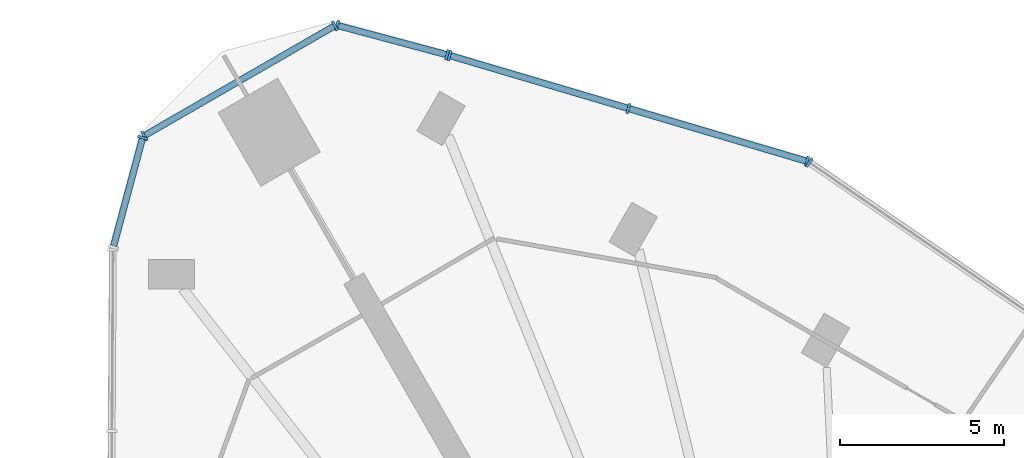
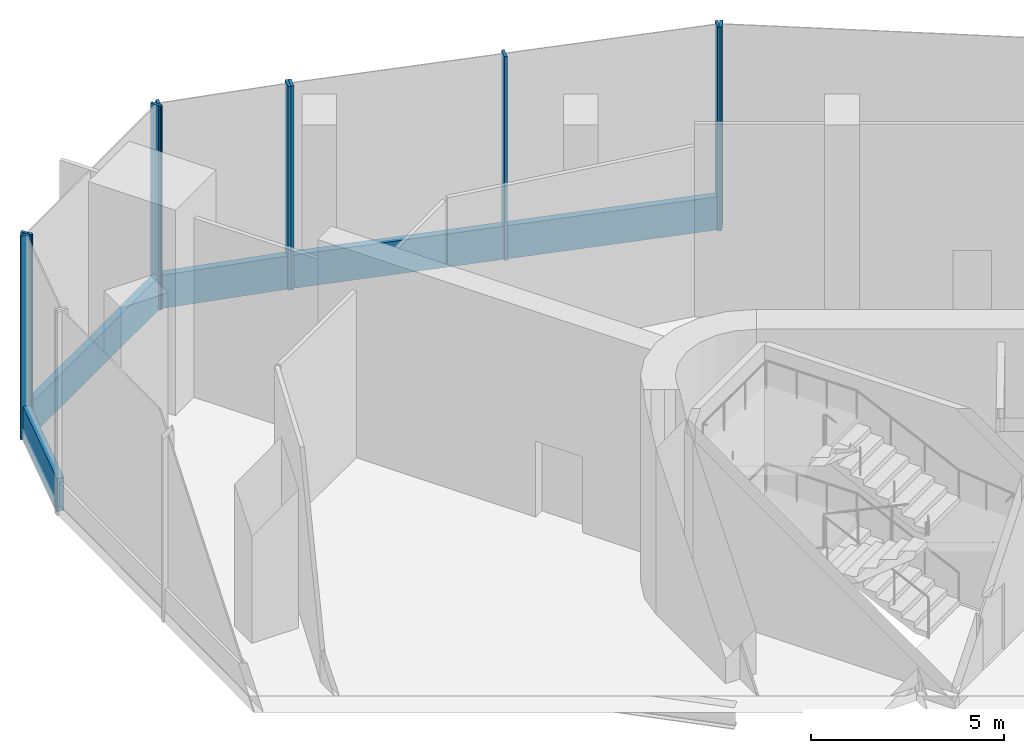
# One storey, part 6 of 15: 14 members, 5 elements without a shape of their own.
"""IFC4 building model written with IfcOpenShell, lengths in metres."""

from ifc_helpers import new_model, si_unit, direction, frame, origin, origin_2d, place, context, subcontext, project, spatial, rectangle, extrude, material, material_profile, profile_set, type_object, element, aggregate, save


model = new_model("IFC4")

# Units and contexts
model_context = context("Model", 3, precision=1e-05, world=origin(), true_north=direction((0.0, 1.0)))
body_context = subcontext(model_context, "Body", "Model", "MODEL_VIEW")
ifc_project = project(units=[si_unit("LENGTHUNIT", "METRE"), si_unit("AREAUNIT", "SQUARE_METRE"), si_unit("VOLUMEUNIT", "CUBIC_METRE"), si_unit("PLANEANGLEUNIT", "RADIAN"), si_unit("MASSUNIT", "GRAM", prefix="KILO")], contexts=[model_context])

# Site, building, storey
site_placement = place(None, origin())
site = spatial("IfcSite", under=ifc_project, at=site_placement, CompositionType="ELEMENT")
building_placement = place(site_placement, origin())
building = spatial("IfcBuilding", under=site, at=building_placement, Name="Tanit Gate Tower", CompositionType="ELEMENT")
storey_placement = place(building_placement, frame((0.0, 0.0, 277.199951171875)))
storey = spatial("IfcBuildingStorey", under=building, at=storey_placement, Name="L63", CompositionType="ELEMENT", Elevation=277.199951171875)

# Curtain wall, member
ifc_material_1 = material(Name="Aluminium bronze anodised and glass", Category="aluminium")
curtain_wall_type = type_object("IfcCurtainWallType", Name="Curtain wall sky lobby", PredefinedType="NOTDEFINED", material=ifc_material_1)
curtain_wall_1_placement = place(storey_placement, origin())
curtain_wall_1 = element("IfcCurtainWall", 1, at=curtain_wall_1_placement, inside=storey, type_object=curtain_wall_type, Name="Curtain wall L63 NE2", PredefinedType="NOTDEFINED")
ifc_material_2 = material(Name="Aluminium bronze anodised", Category="aluminium")
ifc_material_profile_1 = material_profile(ifc_material_2, rectangle(XDim=0.320068359375, YDim=0.080078125, at=origin_2d()), Name="80x320 bronze mullion")
ifc_profile_set_1 = profile_set([ifc_material_profile_1], Name="Aluminium bronze anodised")
member_type_1 = type_object("IfcMemberType", Name="Mullion 80x320 sky lobby", PredefinedType="MULLION", material=ifc_profile_set_1)
member_1_placement = place(storey_placement, frame((-1.657958984375, 30.489990234375, -0.349853515625), z_axis=(0.0, 0.0, 1.0), x_axis=(-0.565779513784, -0.824556572821, 0.0)))
member_1 = element("IfcMember", 2, at=member_1_placement, type_object=member_type_1, Name="Mullion L63 NE2.5", PredefinedType="MULLION", context=body_context, shape_type="SweptSolid", body=[
    extrude(rectangle(XDim=0.320068359375, YDim=0.080078125, at=origin_2d()), origin(), (0.0, 0.0, 1.0), 6.449951171875),
])
aggregate(curtain_wall_1, [member_1])

# Curtain wall, members
curtain_wall_2_placement = place(storey_placement, origin())
curtain_wall_2 = element("IfcCurtainWall", 3, at=curtain_wall_2_placement, inside=storey, type_object=curtain_wall_type, Name="Curtain wall L63 NE3", PredefinedType="NOTDEFINED")
member_2_placement = place(storey_placement, frame((-1.729248046875, 30.52392578125, -0.349853515625), z_axis=(0.0, 0.0, 1.0), x_axis=(-0.283919875653, -0.95884800892, 0.0)))
member_2 = element("IfcMember", 4, at=member_2_placement, type_object=member_type_1, Name="Mullion L63 NE3.1", PredefinedType="MULLION", context=body_context, shape_type="SweptSolid", body=[
    extrude(rectangle(XDim=0.320068359375, YDim=0.080078125, at=origin_2d()), origin(), (0.0, 0.0, 1.0), 6.449951171875),
])
member_3_placement = place(storey_placement, frame((-7.180419921875, 32.13818359375, -0.349853515625), z_axis=(0.0, 0.0, 1.0), x_axis=(-0.283919875653, -0.95884800892, 0.0)))
member_3 = element("IfcMember", 5, at=member_3_placement, type_object=member_type_1, Name="Mullion L63 NE3.2", PredefinedType="MULLION", context=body_context, shape_type="SweptSolid", body=[
    extrude(rectangle(XDim=0.320068359375, YDim=0.080078125, at=origin_2d()), origin(), (0.0, 0.0, 1.0), 6.449951171875),
])
member_4_placement = place(storey_placement, frame((-12.631591796875, 33.752197265625, -0.349853515625), z_axis=(0.0, 0.0, 1.0), x_axis=(-0.283919875653, -0.95884800892, 0.0)))
member_4 = element("IfcMember", 6, at=member_4_placement, type_object=member_type_1, Name="Mullion L63 NE3.3", PredefinedType="MULLION", context=body_context, shape_type="SweptSolid", body=[
    extrude(rectangle(XDim=0.320068359375, YDim=0.080078125, at=origin_2d()), origin(), (0.0, 0.0, 1.0), 6.449951171875),
])

curtain_wall_3_placement = place(storey_placement, origin())
curtain_wall_3 = element("IfcCurtainWall", 7, at=curtain_wall_3_placement, inside=storey, type_object=curtain_wall_type, Name="Curtain wall L63 NW.arc1", PredefinedType="NOTDEFINED")
member_5_placement = place(storey_placement, frame((-12.708740234375, 33.77392578125, -0.349853515625), z_axis=(0.0, 0.0, 1.0), x_axis=(-0.258819045103, -0.965925826289, 0.0)))
member_5 = element("IfcMember", 8, at=member_5_placement, type_object=member_type_1, Name="Mullion L63 NW.arc1.1", PredefinedType="MULLION", context=body_context, shape_type="SweptSolid", body=[
    extrude(rectangle(XDim=0.320068359375, YDim=0.080078125, at=origin_2d()), origin(), (0.0, 0.0, 1.0), 6.449951171875),
])
member_6_placement = place(storey_placement, frame((-16.06005859375, 34.671875, -0.349853515625), z_axis=(0.0, 0.0, 1.0), x_axis=(-0.258819045103, -0.965925826289, 0.0)))
member_6 = element("IfcMember", 9, at=member_6_placement, type_object=member_type_1, Name="Mullion L63 NW.arc1.2", PredefinedType="MULLION", context=body_context, shape_type="SweptSolid", body=[
    extrude(rectangle(XDim=0.320068359375, YDim=0.080078125, at=origin_2d()), origin(), (0.0, 0.0, 1.0), 6.449951171875),
])

curtain_wall_4_placement = place(storey_placement, origin())
curtain_wall_4 = element("IfcCurtainWall", 10, at=curtain_wall_4_placement, inside=storey, type_object=curtain_wall_type, Name="Curtain wall L63 NW.arc2", PredefinedType="NOTDEFINED")
member_7_placement = place(storey_placement, frame((-16.133544921875, 34.662353515625, -0.349853515625), z_axis=(0.0, 0.0, 1.0), x_axis=(0.5, -0.866025403784, 0.0)))
member_7 = element("IfcMember", 11, at=member_7_placement, type_object=member_type_1, Name="Mullion L63 NW.arc2.1", PredefinedType="MULLION", context=body_context, shape_type="SweptSolid", body=[
    extrude(rectangle(XDim=0.320068359375, YDim=0.080078125, at=origin_2d()), origin(), (0.0, 0.0, 1.0), 6.449951171875),
])
member_8_placement = place(storey_placement, frame((-21.95166015625, 31.30322265625, -0.349853515625), z_axis=(0.0, 0.0, 1.0), x_axis=(0.5, -0.866025403784, 0.0)))
member_8 = element("IfcMember", 12, at=member_8_placement, type_object=member_type_1, Name="Mullion L63 NW.arc2.2", PredefinedType="MULLION", context=body_context, shape_type="SweptSolid", body=[
    extrude(rectangle(XDim=0.320068359375, YDim=0.080078125, at=origin_2d()), origin(), (0.0, 0.0, 1.0), 6.449951171875),
])

# Curtain wall, member
curtain_wall_5_placement = place(storey_placement, origin())
curtain_wall_5 = element("IfcCurtainWall", 13, at=curtain_wall_5_placement, inside=storey, type_object=curtain_wall_type, Name="Curtain wall L63 NW.arc3", PredefinedType="NOTDEFINED")
member_9_placement = place(storey_placement, frame((-21.996826171875, 31.244384765625, -0.349853515625), z_axis=(0.0, 0.0, 1.0), x_axis=(0.965925826289, -0.258819045103, 0.0)))
member_9 = element("IfcMember", 14, at=member_9_placement, type_object=member_type_1, Name="Mullion L63 NW.arc3.1", PredefinedType="MULLION", context=body_context, shape_type="SweptSolid", body=[
    extrude(rectangle(XDim=0.320068359375, YDim=0.080078125, at=origin_2d()), origin(), (0.0, 0.0, 1.0), 6.449951171875),
])

# Member
ifc_material_3 = material(Name="Aluminium bronze anodised", Category="aluminium")
ifc_material_profile_2 = material_profile(ifc_material_3, rectangle(XDim=0.199951171875, YDim=1.050048828125, at=origin_2d()), Name="200x1050 bronze transom")
ifc_profile_set_2 = profile_set([ifc_material_profile_2], Name="Aluminium bronze anodised")
member_type_2 = type_object("IfcMemberType", Name="Transom 200x1050 sky lobby", PredefinedType="USERDEFINED", material=ifc_profile_set_2)
member_10_placement = place(storey_placement, frame((-1.767822265625, 30.535400390625, 0.175048828125), z_axis=(-0.9588499493, 0.283913322561, 0.0), x_axis=(-0.283913322561, -0.9588499493, 0.0)))
member_10 = element("IfcMember", 15, at=member_10_placement, type_object=member_type_2, Name="Transom L63 NE3.1", ObjectType="TRANSOM", PredefinedType="USERDEFINED", context=body_context, shape_type="SweptSolid", body=[
    extrude(rectangle(XDim=0.199951171875, YDim=1.050048828125, at=origin_2d()), origin(), (0.0, 0.0, 1.0), 5.60498046875),
])

member_11_placement = place(storey_placement, frame((-7.21875, 32.1494140625, 0.175048828125), z_axis=(-0.958841602534, 0.283941510263, 0.0), x_axis=(-0.283941510263, -0.958841602534, 0.0)))
member_11 = element("IfcMember", 16, at=member_11_placement, type_object=member_type_2, Name="Transom L63 NE3.2", ObjectType="TRANSOM", PredefinedType="USERDEFINED", context=body_context, shape_type="SweptSolid", body=[
    extrude(rectangle(XDim=0.199951171875, YDim=1.050048828125, at=origin_2d()), origin(), (0.0, 0.0, 1.0), 5.605224609375),
])

aggregate(curtain_wall_2, [member_2, member_3, member_4, member_10, member_11])

member_12_placement = place(storey_placement, frame((-12.747314453125, 33.7841796875, 0.175048828125), z_axis=(-0.965916221555, 0.258854887799, 0.0), x_axis=(-0.258854887799, -0.965916221555, 0.0)))
member_12 = element("IfcMember", 17, at=member_12_placement, type_object=member_type_2, Name="Transom L63 NW.arc1.1", ObjectType="TRANSOM", PredefinedType="USERDEFINED", context=body_context, shape_type="SweptSolid", body=[
    extrude(rectangle(XDim=0.199951171875, YDim=1.050048828125, at=origin_2d()), origin(), (0.0, 0.0, 1.0), 3.3896484375),
])

aggregate(curtain_wall_3, [member_5, member_6, member_12])

member_13_placement = place(storey_placement, frame((-16.16796875, 34.642333984375, 0.175048828125), z_axis=(-0.866016551696, -0.500015331954, 0.0), x_axis=(0.500015331954, -0.866016551696, 0.0)))
member_13 = element("IfcMember", 18, at=member_13_placement, type_object=member_type_2, Name="Transom L63 NW.arc2.1", ObjectType="TRANSOM", PredefinedType="USERDEFINED", context=body_context, shape_type="SweptSolid", body=[
    extrude(rectangle(XDim=0.199951171875, YDim=1.050048828125, at=origin_2d()), origin(), (0.0, 0.0, 1.0), 6.638427734375),
])

aggregate(curtain_wall_4, [member_7, member_8, member_13])

member_14_placement = place(storey_placement, frame((-22.007080078125, 31.205810546875, 0.175048828125), z_axis=(-0.258837303253, -0.965920933848, 0.0), x_axis=(0.965920933848, -0.258837303253, 0.0)))
member_14 = element("IfcMember", 19, at=member_14_placement, type_object=member_type_2, Name="Transom L63 NW.arc3.1", ObjectType="TRANSOM", PredefinedType="USERDEFINED", context=body_context, shape_type="SweptSolid", body=[
    extrude(rectangle(XDim=0.199951171875, YDim=1.050048828125, at=origin_2d()), origin(), (0.0, 0.0, 1.0), 3.375732421875),
])

aggregate(curtain_wall_5, [member_9, member_14])

save(model, "model.ifc")
